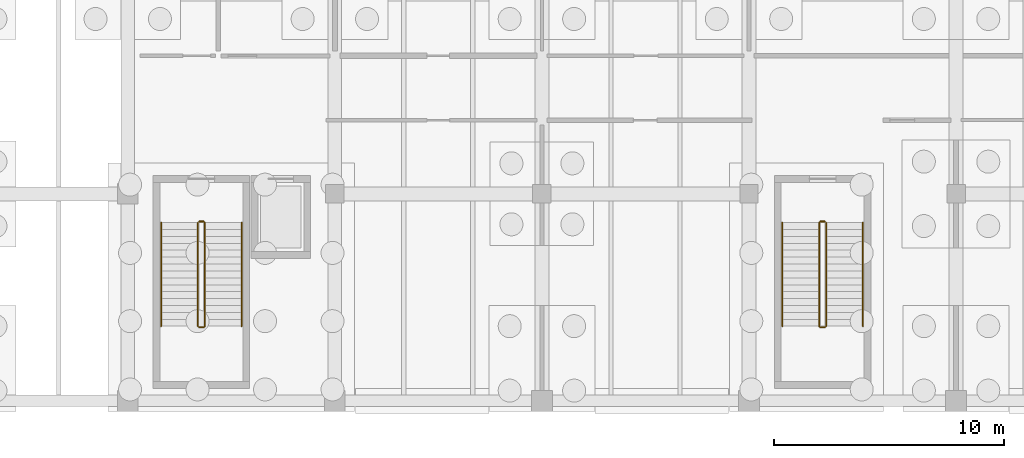
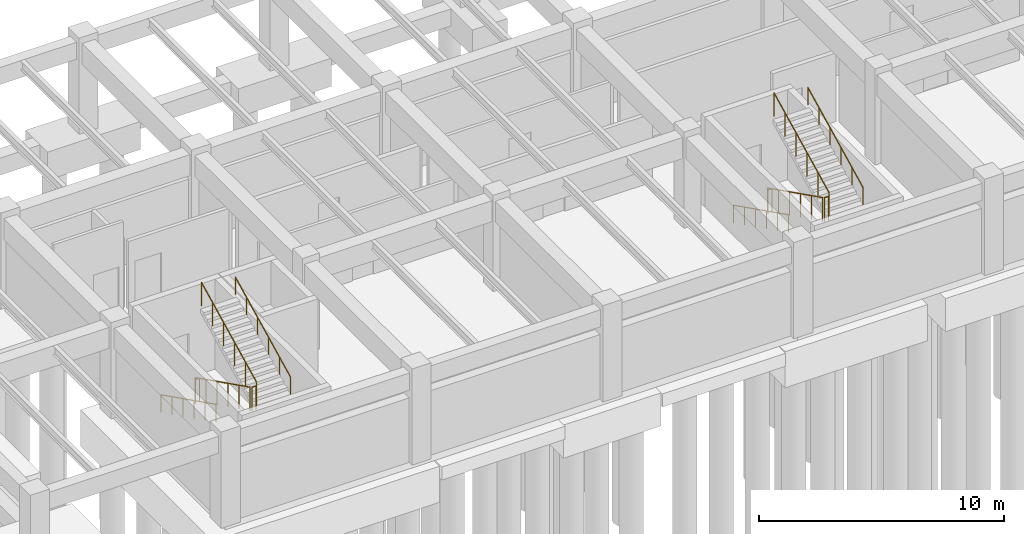
# One storey, part 13 of 16: 12 railings.
"""IFC4 building model written with IfcOpenShell, lengths in metres."""

from ifc_helpers import new_model, si_unit, direction, frame, origin, origin_2d, place, context, subcontext, project, spatial, circle, extrude, material, type_object, element, save


model = new_model("IFC4")

# Units and contexts
model_context = context("Model", 3, precision=1e-05, world=origin(), true_north=direction((0.0, 1.0)))
body_context = subcontext(model_context, "Body", "Model", "MODEL_VIEW")
ifc_project = project(units=[si_unit("LENGTHUNIT", "METRE"), si_unit("AREAUNIT", "SQUARE_METRE"), si_unit("VOLUMEUNIT", "CUBIC_METRE"), si_unit("PLANEANGLEUNIT", "RADIAN"), si_unit("MASSUNIT", "GRAM", prefix="KILO")], contexts=[model_context])

# Site, building, storey
site_placement = place(None, origin())
site = spatial("IfcSite", under=ifc_project, at=site_placement, CompositionType="ELEMENT")
building_placement = place(site_placement, origin())
building = spatial("IfcBuilding", under=site, at=building_placement, Name="Bozkorgan Art Gallery", CompositionType="ELEMENT")
storey_placement = place(building_placement, frame((0.0, 0.0, -4.800048828125)))
storey = spatial("IfcBuildingStorey", under=building, at=storey_placement, Name="B1", CompositionType="ELEMENT", Elevation=-4.800048828125)

# Railings
ifc_material = material(Name="Steel S355J2", Category="steel")
railing_type_1 = type_object("IfcRailingType", Name="RAIL-GRD-115", PredefinedType="GUARDRAIL", material=ifc_material)
railing_1_placement = place(storey_placement, frame((14.050048828125, 9.75, 0.150146484375)))
element("IfcRailing", 1, at=railing_1_placement, inside=storey, type_object=railing_type_1, Name="B1 ST1 stair guard 1", PredefinedType="GUARDRAIL", context=body_context, shape_type="SweptSolid", body=[
    extrude(circle(Radius=0.02392578125, at=origin_2d()), frame((0.0, 0.0, 1.17578125), z_axis=(0.0, -0.894427191, 0.4472135955), x_axis=(1.0, 0.0, 0.0)), (0.0, 0.0, 1.0), 5.03125),
    extrude(circle(Radius=0.02099609375, at=origin_2d()), origin(), (0.0, 0.0, 1.0), 1.15185546875),
    extrude(circle(Radius=0.02099609375, at=origin_2d()), frame((0.0, -0.89990234375, 0.449951171875)), (0.0, 0.0, 1.0), 1.15185546875),
    extrude(circle(Radius=0.02099609375, at=origin_2d()), frame((0.0, -1.800048828125, 0.89990234375)), (0.0, 0.0, 1.0), 1.15185546875),
    extrude(circle(Radius=0.02099609375, at=origin_2d()), frame((0.0, -2.699951171875, 1.35009765625)), (0.0, 0.0, 1.0), 1.15185546875),
    extrude(circle(Radius=0.02099609375, at=origin_2d()), frame((0.0, -3.60009765625, 1.800048828125)), (0.0, 0.0, 1.0), 1.15185546875),
    extrude(circle(Radius=0.02099609375, at=origin_2d()), frame((0.0, -4.5, 2.25)), (0.0, 0.0, 1.0), 1.15185546875),
])
railing_2_placement = place(storey_placement, frame((14.10009765625, 5.199951171875, 2.400146484375)))
element("IfcRailing", 2, at=railing_2_placement, inside=storey, type_object=railing_type_1, Name="B1 ST1 stair guard 2", PredefinedType="GUARDRAIL", context=body_context, shape_type="SweptSolid", body=[
    extrude(circle(Radius=0.02392578125, at=origin_2d()), frame((0.0, 0.0, 1.17578125), z_axis=(1.0, 0.0, 0.0), x_axis=(0.0, 1.0, 0.0)), (0.0, 0.0, 1.0), 0.199951171875),
    extrude(circle(Radius=0.02099609375, at=origin_2d()), origin(), (0.0, 0.0, 1.0), 1.15185546875),
    extrude(circle(Radius=0.02099609375, at=origin_2d()), frame((0.199951171875, 0.0, 0.0)), (0.0, 0.0, 1.0), 1.15185546875),
])
railing_3_placement = place(storey_placement, frame((14.35009765625, 5.25, 2.550048828125)))
element("IfcRailing", 3, at=railing_3_placement, inside=storey, type_object=railing_type_1, Name="B1 ST1 stair guard 3", PredefinedType="GUARDRAIL", context=body_context, shape_type="SweptSolid", body=[
    extrude(circle(Radius=0.02392578125, at=origin_2d()), frame((0.0, 0.0, 1.17578125), z_axis=(0.0, 0.894427191, 0.4472135955), x_axis=(-1.0, 0.0, 0.0)), (0.0, 0.0, 1.0), 5.03125),
    extrude(circle(Radius=0.02099609375, at=origin_2d()), origin(), (0.0, 0.0, 1.0), 1.15185546875),
    extrude(circle(Radius=0.02099609375, at=origin_2d()), frame((0.0, 0.89990234375, 0.449951171875)), (0.0, 0.0, 1.0), 1.15185546875),
    extrude(circle(Radius=0.02099609375, at=origin_2d()), frame((0.0, 1.800048828125, 0.89990234375)), (0.0, 0.0, 1.0), 1.15185546875),
    extrude(circle(Radius=0.02099609375, at=origin_2d()), frame((0.0, 2.699951171875, 1.35009765625)), (0.0, 0.0, 1.0), 1.15185546875),
    extrude(circle(Radius=0.02099609375, at=origin_2d()), frame((0.0, 3.60009765625, 1.800048828125)), (0.0, 0.0, 1.0), 1.15185546875),
    extrude(circle(Radius=0.02099609375, at=origin_2d()), frame((0.0, 4.5, 2.25)), (0.0, 0.0, 1.0), 1.15185546875),
])
railing_4_placement = place(storey_placement, frame((14.10009765625, 9.800048828125, 0.0)))
element("IfcRailing", 4, at=railing_4_placement, inside=storey, type_object=railing_type_1, Name="B1 ST1 stair guard 4", PredefinedType="GUARDRAIL", context=body_context, shape_type="SweptSolid", body=[
    extrude(circle(Radius=0.02392578125, at=origin_2d()), frame((0.0, 0.0, 1.17578125), z_axis=(1.0, 0.0, 0.0), x_axis=(0.0, 1.0, 0.0)), (0.0, 0.0, 1.0), 0.199951171875),
    extrude(circle(Radius=0.02099609375, at=origin_2d()), origin(), (0.0, 0.0, 1.0), 1.15185546875),
    extrude(circle(Radius=0.02099609375, at=origin_2d()), frame((0.199951171875, 0.0, 0.0)), (0.0, 0.0, 1.0), 1.15185546875),
])
railing_5_placement = place(storey_placement, frame((41.050048828125, 9.75, 0.150146484375)))
element("IfcRailing", 5, at=railing_5_placement, inside=storey, type_object=railing_type_1, Name="B1 ST12 stair guard 1", PredefinedType="GUARDRAIL", context=body_context, shape_type="SweptSolid", body=[
    extrude(circle(Radius=0.02392578125, at=origin_2d()), frame((0.0, 0.0, 1.17578125), z_axis=(0.0, -0.894427191, 0.4472135955), x_axis=(1.0, 0.0, 0.0)), (0.0, 0.0, 1.0), 5.03125),
    extrude(circle(Radius=0.02099609375, at=origin_2d()), origin(), (0.0, 0.0, 1.0), 1.15185546875),
    extrude(circle(Radius=0.02099609375, at=origin_2d()), frame((0.0, -0.89990234375, 0.449951171875)), (0.0, 0.0, 1.0), 1.15185546875),
    extrude(circle(Radius=0.02099609375, at=origin_2d()), frame((0.0, -1.800048828125, 0.89990234375)), (0.0, 0.0, 1.0), 1.15185546875),
    extrude(circle(Radius=0.02099609375, at=origin_2d()), frame((0.0, -2.699951171875, 1.35009765625)), (0.0, 0.0, 1.0), 1.15185546875),
    extrude(circle(Radius=0.02099609375, at=origin_2d()), frame((0.0, -3.60009765625, 1.800048828125)), (0.0, 0.0, 1.0), 1.15185546875),
    extrude(circle(Radius=0.02099609375, at=origin_2d()), frame((0.0, -4.5, 2.25)), (0.0, 0.0, 1.0), 1.15185546875),
])
railing_6_placement = place(storey_placement, frame((41.10009765625, 5.199951171875, 2.400146484375)))
element("IfcRailing", 6, at=railing_6_placement, inside=storey, type_object=railing_type_1, Name="B1 ST12 stair guard 2", PredefinedType="GUARDRAIL", context=body_context, shape_type="SweptSolid", body=[
    extrude(circle(Radius=0.02392578125, at=origin_2d()), frame((0.0, 0.0, 1.17578125), z_axis=(1.0, 0.0, 0.0), x_axis=(0.0, 1.0, 0.0)), (0.0, 0.0, 1.0), 0.199951171875),
    extrude(circle(Radius=0.02099609375, at=origin_2d()), origin(), (0.0, 0.0, 1.0), 1.15185546875),
    extrude(circle(Radius=0.02099609375, at=origin_2d()), frame((0.199951171875, 0.0, 0.0)), (0.0, 0.0, 1.0), 1.15185546875),
])
railing_7_placement = place(storey_placement, frame((41.35009765625, 5.25, 2.550048828125)))
element("IfcRailing", 7, at=railing_7_placement, inside=storey, type_object=railing_type_1, Name="B1 ST12 stair guard 3", PredefinedType="GUARDRAIL", context=body_context, shape_type="SweptSolid", body=[
    extrude(circle(Radius=0.02392578125, at=origin_2d()), frame((0.0, 0.0, 1.17578125), z_axis=(0.0, 0.894427191, 0.4472135955), x_axis=(-1.0, 0.0, 0.0)), (0.0, 0.0, 1.0), 5.03125),
    extrude(circle(Radius=0.02099609375, at=origin_2d()), origin(), (0.0, 0.0, 1.0), 1.15185546875),
    extrude(circle(Radius=0.02099609375, at=origin_2d()), frame((0.0, 0.89990234375, 0.449951171875)), (0.0, 0.0, 1.0), 1.15185546875),
    extrude(circle(Radius=0.02099609375, at=origin_2d()), frame((0.0, 1.800048828125, 0.89990234375)), (0.0, 0.0, 1.0), 1.15185546875),
    extrude(circle(Radius=0.02099609375, at=origin_2d()), frame((0.0, 2.699951171875, 1.35009765625)), (0.0, 0.0, 1.0), 1.15185546875),
    extrude(circle(Radius=0.02099609375, at=origin_2d()), frame((0.0, 3.60009765625, 1.800048828125)), (0.0, 0.0, 1.0), 1.15185546875),
    extrude(circle(Radius=0.02099609375, at=origin_2d()), frame((0.0, 4.5, 2.25)), (0.0, 0.0, 1.0), 1.15185546875),
])
railing_8_placement = place(storey_placement, frame((41.10009765625, 9.800048828125, 0.0)))
element("IfcRailing", 8, at=railing_8_placement, inside=storey, type_object=railing_type_1, Name="B1 ST12 stair guard 4", PredefinedType="GUARDRAIL", context=body_context, shape_type="SweptSolid", body=[
    extrude(circle(Radius=0.02392578125, at=origin_2d()), frame((0.0, 0.0, 1.17578125), z_axis=(1.0, 0.0, 0.0), x_axis=(0.0, 1.0, 0.0)), (0.0, 0.0, 1.0), 0.199951171875),
    extrude(circle(Radius=0.02099609375, at=origin_2d()), origin(), (0.0, 0.0, 1.0), 1.15185546875),
    extrude(circle(Radius=0.02099609375, at=origin_2d()), frame((0.199951171875, 0.0, 0.0)), (0.0, 0.0, 1.0), 1.15185546875),
])
railing_type_2 = type_object("IfcRailingType", Name="RAIL-HND-092", PredefinedType="HANDRAIL", material=ifc_material)
railing_9_placement = place(storey_placement, frame((12.449951171875, 9.75, 0.150146484375)))
element("IfcRailing", 9, at=railing_9_placement, inside=storey, type_object=railing_type_2, Name="B1 ST1 stair handrail 1", PredefinedType="HANDRAIL", context=body_context, shape_type="SweptSolid", body=[
    extrude(circle(Radius=0.02392578125, at=origin_2d()), frame((0.0, 0.0, 0.8759765625), z_axis=(0.0, -0.894427191, 0.4472135955), x_axis=(1.0, 0.0, 0.0)), (0.0, 0.0, 1.0), 5.03125),
    extrude(circle(Radius=0.02099609375, at=origin_2d()), origin(), (0.0, 0.0, 1.0), 0.851806640625),
    extrude(circle(Radius=0.02099609375, at=origin_2d()), frame((0.0, -0.89990234375, 0.449951171875)), (0.0, 0.0, 1.0), 0.851806640625),
    extrude(circle(Radius=0.02099609375, at=origin_2d()), frame((0.0, -1.800048828125, 0.89990234375)), (0.0, 0.0, 1.0), 0.851806640625),
    extrude(circle(Radius=0.02099609375, at=origin_2d()), frame((0.0, -2.699951171875, 1.35009765625)), (0.0, 0.0, 1.0), 0.851806640625),
    extrude(circle(Radius=0.02099609375, at=origin_2d()), frame((0.0, -3.60009765625, 1.800048828125)), (0.0, 0.0, 1.0), 0.851806640625),
    extrude(circle(Radius=0.02099609375, at=origin_2d()), frame((0.0, -4.5, 2.25)), (0.0, 0.0, 1.0), 0.851806640625),
])
railing_10_placement = place(storey_placement, frame((15.949951171875, 5.25, 2.550048828125)))
element("IfcRailing", 10, at=railing_10_placement, inside=storey, type_object=railing_type_2, Name="B1 ST1 stair handrail 2", PredefinedType="HANDRAIL", context=body_context, shape_type="SweptSolid", body=[
    extrude(circle(Radius=0.02392578125, at=origin_2d()), frame((0.0, 0.0, 0.8759765625), z_axis=(0.0, 0.894427191, 0.4472135955), x_axis=(-1.0, 0.0, 0.0)), (0.0, 0.0, 1.0), 5.03125),
    extrude(circle(Radius=0.02099609375, at=origin_2d()), origin(), (0.0, 0.0, 1.0), 0.851806640625),
    extrude(circle(Radius=0.02099609375, at=origin_2d()), frame((0.0, 0.89990234375, 0.449951171875)), (0.0, 0.0, 1.0), 0.851806640625),
    extrude(circle(Radius=0.02099609375, at=origin_2d()), frame((0.0, 1.800048828125, 0.89990234375)), (0.0, 0.0, 1.0), 0.851806640625),
    extrude(circle(Radius=0.02099609375, at=origin_2d()), frame((0.0, 2.699951171875, 1.35009765625)), (0.0, 0.0, 1.0), 0.851806640625),
    extrude(circle(Radius=0.02099609375, at=origin_2d()), frame((0.0, 3.60009765625, 1.800048828125)), (0.0, 0.0, 1.0), 0.851806640625),
    extrude(circle(Radius=0.02099609375, at=origin_2d()), frame((0.0, 4.5, 2.25)), (0.0, 0.0, 1.0), 0.851806640625),
])
railing_11_placement = place(storey_placement, frame((39.449951171875, 9.75, 0.150146484375)))
element("IfcRailing", 11, at=railing_11_placement, inside=storey, type_object=railing_type_2, Name="B1 ST12 stair handrail 1", PredefinedType="HANDRAIL", context=body_context, shape_type="SweptSolid", body=[
    extrude(circle(Radius=0.02392578125, at=origin_2d()), frame((0.0, 0.0, 0.8759765625), z_axis=(0.0, -0.894427191, 0.4472135955), x_axis=(1.0, 0.0, 0.0)), (0.0, 0.0, 1.0), 5.03125),
    extrude(circle(Radius=0.02099609375, at=origin_2d()), origin(), (0.0, 0.0, 1.0), 0.851806640625),
    extrude(circle(Radius=0.02099609375, at=origin_2d()), frame((0.0, -0.89990234375, 0.449951171875)), (0.0, 0.0, 1.0), 0.851806640625),
    extrude(circle(Radius=0.02099609375, at=origin_2d()), frame((0.0, -1.800048828125, 0.89990234375)), (0.0, 0.0, 1.0), 0.851806640625),
    extrude(circle(Radius=0.02099609375, at=origin_2d()), frame((0.0, -2.699951171875, 1.35009765625)), (0.0, 0.0, 1.0), 0.851806640625),
    extrude(circle(Radius=0.02099609375, at=origin_2d()), frame((0.0, -3.60009765625, 1.800048828125)), (0.0, 0.0, 1.0), 0.851806640625),
    extrude(circle(Radius=0.02099609375, at=origin_2d()), frame((0.0, -4.5, 2.25)), (0.0, 0.0, 1.0), 0.851806640625),
])
railing_12_placement = place(storey_placement, frame((42.949951171875, 5.25, 2.550048828125)))
element("IfcRailing", 12, at=railing_12_placement, inside=storey, type_object=railing_type_2, Name="B1 ST12 stair handrail 2", PredefinedType="HANDRAIL", context=body_context, shape_type="SweptSolid", body=[
    extrude(circle(Radius=0.02392578125, at=origin_2d()), frame((0.0, 0.0, 0.8759765625), z_axis=(0.0, 0.894427191, 0.4472135955), x_axis=(-1.0, 0.0, 0.0)), (0.0, 0.0, 1.0), 5.03125),
    extrude(circle(Radius=0.02099609375, at=origin_2d()), origin(), (0.0, 0.0, 1.0), 0.851806640625),
    extrude(circle(Radius=0.02099609375, at=origin_2d()), frame((0.0, 0.89990234375, 0.449951171875)), (0.0, 0.0, 1.0), 0.851806640625),
    extrude(circle(Radius=0.02099609375, at=origin_2d()), frame((0.0, 1.800048828125, 0.89990234375)), (0.0, 0.0, 1.0), 0.851806640625),
    extrude(circle(Radius=0.02099609375, at=origin_2d()), frame((0.0, 2.699951171875, 1.35009765625)), (0.0, 0.0, 1.0), 0.851806640625),
    extrude(circle(Radius=0.02099609375, at=origin_2d()), frame((0.0, 3.60009765625, 1.800048828125)), (0.0, 0.0, 1.0), 0.851806640625),
    extrude(circle(Radius=0.02099609375, at=origin_2d()), frame((0.0, 4.5, 2.25)), (0.0, 0.0, 1.0), 0.851806640625),
])

save(model, "model.ifc")
